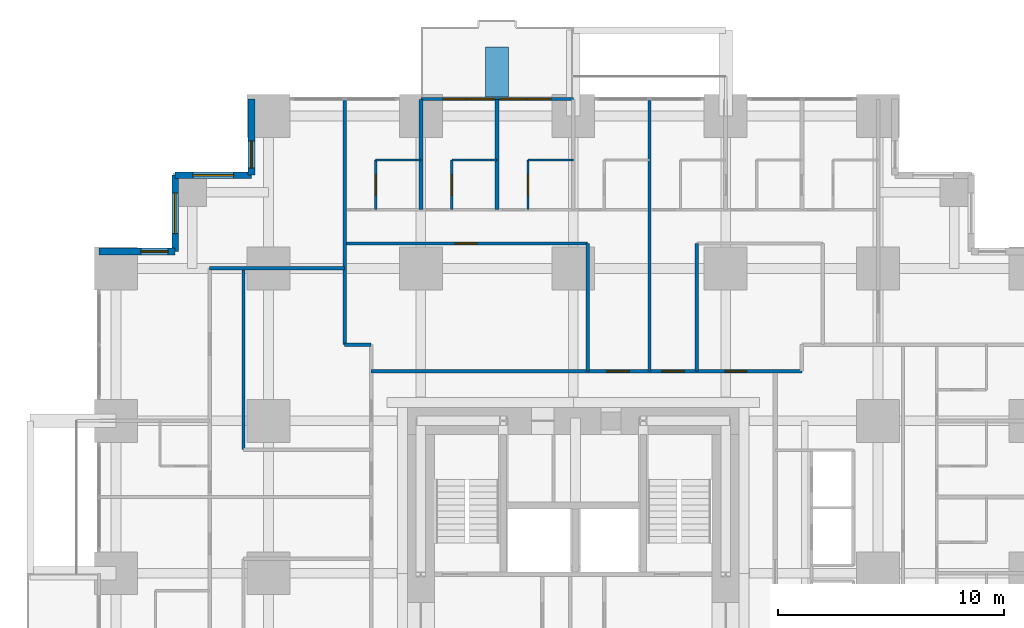
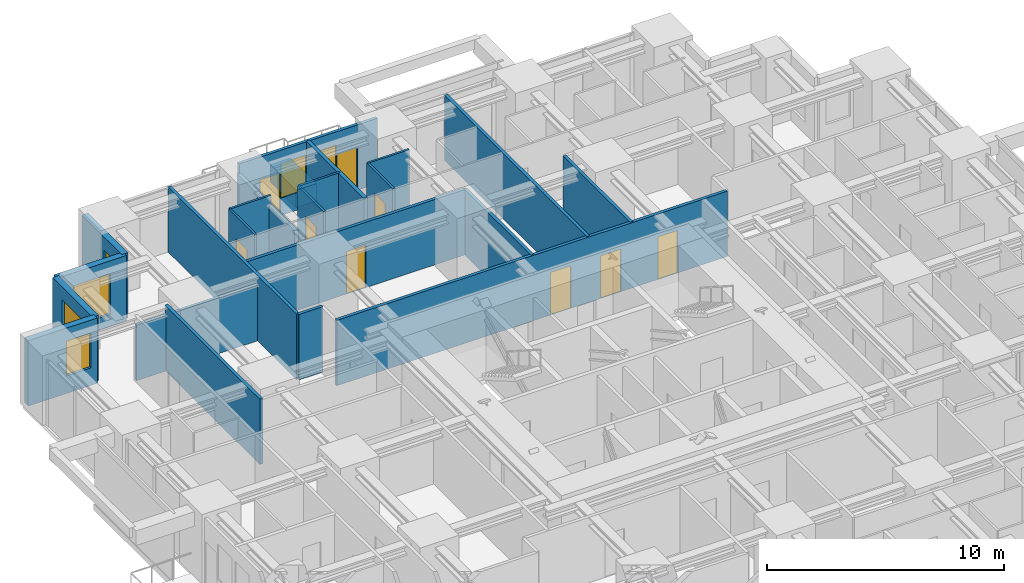
# One storey, part 12 of 15: 23 walls, 9 doors, 6 windows, 15 openings.
"""IFC4 building model written with IfcOpenShell, lengths in metres."""

from ifc_helpers import new_model, si_unit, direction, frame, frame_2d, origin, place, context, subcontext, project, spatial, rectangle, extrude, material, layer, layer_set, type_object, element, fill, save


model = new_model("IFC4")

# Units and contexts
model_context = context("Model", 3, precision=1e-05, world=origin(), true_north=direction((0.0, 1.0)))
body_context = subcontext(model_context, "Body", "Model", "MODEL_VIEW")
ifc_project = project(units=[si_unit("LENGTHUNIT", "METRE"), si_unit("AREAUNIT", "SQUARE_METRE"), si_unit("VOLUMEUNIT", "CUBIC_METRE"), si_unit("PLANEANGLEUNIT", "RADIAN"), si_unit("MASSUNIT", "GRAM", prefix="KILO")], contexts=[model_context])

# Site, building, storey
site_placement = place(None, origin())
site = spatial("IfcSite", under=ifc_project, at=site_placement, CompositionType="ELEMENT")
building_placement = place(site_placement, origin())
building = spatial("IfcBuilding", under=site, at=building_placement, Name="Nyansa Garden Tower", CompositionType="ELEMENT")
storey_placement = place(building_placement, frame((0.0, 0.0, 32.39990234375)))
storey = spatial("IfcBuildingStorey", under=building, at=storey_placement, Name="L08", CompositionType="ELEMENT", Elevation=32.39990234375)

# Walls
ifc_material_1 = material(Name="Dense blockwork, plastered both sides, 55 dB", Category="masonry")
ifc_layer_1 = layer(ifc_material_1, 0.175048828125)
ifc_layer_set_1 = layer_set([ifc_layer_1], Name="Acoustic party wall PW175")
wall_type_1 = type_object("IfcWallType", Name="Acoustic party wall PW175", PredefinedType="PARTITIONING", material=ifc_layer_set_1)
wall_1_placement = place(storey_placement, frame((13.5, 36.35009765625, 0.0), z_axis=(0.0, 0.0, 1.0), x_axis=(0.0, 1.0, 0.0)))
element("IfcWall", 1, at=wall_1_placement, inside=storey, type_object=wall_type_1, Name="Party wall", PredefinedType="PARTITIONING", context=body_context, shape_type="SweptSolid", body=[
    extrude(rectangle(XDim=4.8837890625, YDim=0.175048828125, at=frame_2d((2.44189453125, 0.0))), origin(), (0.0, 0.0, 1.0), 2.877197265625),
])
wall_2_placement = place(storey_placement, frame((16.875, 36.35009765625, 0.0), z_axis=(0.0, 0.0, 1.0), x_axis=(0.0, 1.0, 0.0)))
element("IfcWall", 2, at=wall_2_placement, inside=storey, type_object=wall_type_1, Name="Party wall", PredefinedType="PARTITIONING", context=body_context, shape_type="SweptSolid", body=[
    extrude(rectangle(XDim=4.8837890625, YDim=0.175048828125, at=frame_2d((2.44189453125, 0.0))), origin(), (0.0, 0.0, 1.0), 3.375),
])

# Wall, openings, doors, windows
ifc_material_2 = material(Name="Black aluminium framed glazed screen", Category="aluminium")
ifc_layer_2 = layer(ifc_material_2, 0.14990234375)
ifc_layer_set_2 = layer_set([ifc_layer_2], Name="Balcony screen wall BW150")
wall_type_2 = type_object("IfcWallType", Name="Balcony screen wall BW150", PredefinedType="SOLIDWALL", material=ifc_layer_set_2)
wall_3_placement = place(storey_placement, frame((13.5, 41.25, 0.0), z_axis=(0.0, 0.0, 1.0), x_axis=(1.0, 0.0, 0.0)))
wall_3 = element("IfcWall", 3, at=wall_3_placement, inside=storey, type_object=wall_type_2, Name="Glazed screen wall L08 N", PredefinedType="SOLIDWALL", context=body_context, shape_type="SweptSolid", body=[
    extrude(rectangle(XDim=6.75, YDim=0.14990234375, at=frame_2d((3.375, 0.0))), origin(), (0.0, 0.0, 1.0), 3.375),
])
opening_1_placement = place(wall_3_placement, frame((0.995849609375, 0.0, 0.0)))
opening_1 = element("IfcOpeningElement", 4, at=opening_1_placement, cuts=wall_3, Name="Opening D20", PredefinedType="OPENING", context=body_context, shape_type="SweptSolid", body=[
    extrude(rectangle(XDim=1.0, YDim=2.199951171875, at=frame_2d((0.5, 1.10009765625))), frame((0.0, 0.0849609375, 0.0), z_axis=(0.0, -1.0, 0.0), x_axis=(1.0, 0.0, 0.0)), (0.0, 0.0, 1.0), 0.169921875),
])
opening_2_placement = place(wall_3_placement, frame((2.041748046875, 0.0, 0.89990234375)))
opening_2 = element("IfcOpeningElement", 5, at=opening_2_placement, cuts=wall_3, Name="Opening W6", PredefinedType="OPENING", context=body_context, shape_type="SweptSolid", body=[
    extrude(rectangle(XDim=1.199951171875, YDim=1.800048828125, at=frame_2d((0.60009765625, 0.89990234375))), frame((0.0, 0.0849609375, 0.0), z_axis=(0.0, -1.0, 0.0), x_axis=(1.0, 0.0, 0.0)), (0.0, 0.0, 1.0), 0.169921875),
])
opening_3_placement = place(wall_3_placement, frame((4.754150390625, 0.0, 0.0)))
opening_3 = element("IfcOpeningElement", 6, at=opening_3_placement, cuts=wall_3, Name="Opening D20", PredefinedType="OPENING", context=body_context, shape_type="SweptSolid", body=[
    extrude(rectangle(XDim=1.0, YDim=2.199951171875, at=frame_2d((0.5, 1.10009765625))), frame((0.0, 0.0849609375, 0.0), z_axis=(0.0, -1.0, 0.0), x_axis=(1.0, 0.0, 0.0)), (0.0, 0.0, 1.0), 0.169921875),
])
opening_4_placement = place(wall_3_placement, frame((3.50830078125, 0.0, 0.89990234375)))
opening_4 = element("IfcOpeningElement", 7, at=opening_4_placement, cuts=wall_3, Name="Opening W6", PredefinedType="OPENING", context=body_context, shape_type="SweptSolid", body=[
    extrude(rectangle(XDim=1.199951171875, YDim=1.800048828125, at=frame_2d((0.60009765625, 0.89990234375))), frame((0.0, 0.0849609375, 0.0), z_axis=(0.0, -1.0, 0.0), x_axis=(1.0, 0.0, 0.0)), (0.0, 0.0, 1.0), 0.169921875),
])
ifc_material_3 = material(Name="Black aluminium framed glazed door", Category="aluminium")
door_type_1 = type_object("IfcDoorType", Name="Balcony door D20 1000x2200", OperationType="NOTDEFINED", PredefinedType="DOOR", material=ifc_material_3)
door_1_placement = place(opening_1_placement, origin())
door_1 = element("IfcDoor", 8, at=door_1_placement, inside=storey, type_object=door_type_1, Name="Balcony door L08", OperationType="SINGLE_SWING_LEFT", OverallHeight=2.199951171875, OverallWidth=1.0, PredefinedType="DOOR", context=body_context, shape_type="SweptSolid", body=[
    extrude(rectangle(XDim=1.0, YDim=2.199951171875, at=frame_2d((0.5, 1.10009765625))), frame((0.0, 0.02490234375, 0.0), z_axis=(0.0, -1.0, 0.0), x_axis=(1.0, 0.0, 0.0)), (0.0, 0.0, 1.0), 0.050048828125),
])
fill(opening_1, door_1)
door_2_placement = place(opening_3_placement, origin())
door_2 = element("IfcDoor", 9, at=door_2_placement, inside=storey, type_object=door_type_1, Name="Balcony door L08", OperationType="SINGLE_SWING_RIGHT", OverallHeight=2.199951171875, OverallWidth=1.0, PredefinedType="DOOR", context=body_context, shape_type="SweptSolid", body=[
    extrude(rectangle(XDim=1.0, YDim=2.199951171875, at=frame_2d((0.5, 1.10009765625))), frame((0.0, 0.02490234375, 0.0), z_axis=(0.0, -1.0, 0.0), x_axis=(1.0, 0.0, 0.0)), (0.0, 0.0, 1.0), 0.050048828125),
])
fill(opening_3, door_2)
ifc_material_4 = material(Name="Black aluminium frame, dark tinted double glazing", Category="aluminium")
window_type_1 = type_object("IfcWindowType", Name="Balcony window W6 1200x1800", PartitioningType="SINGLE_PANEL", PredefinedType="WINDOW", material=ifc_material_4)
window_1_placement = place(opening_2_placement, origin())
window_1 = element("IfcWindow", 10, at=window_1_placement, inside=storey, type_object=window_type_1, Name="Window L08", OverallHeight=1.800048828125, OverallWidth=1.199951171875, PartitioningType="SINGLE_PANEL", PredefinedType="WINDOW", context=body_context, shape_type="SweptSolid", body=[
    extrude(rectangle(XDim=1.199951171875, YDim=1.800048828125, at=frame_2d((0.60009765625, 0.89990234375))), frame((0.0, 0.030029296875, 0.0), z_axis=(0.0, -1.0, 0.0), x_axis=(1.0, 0.0, 0.0)), (0.0, 0.0, 1.0), 0.06005859375),
])
fill(opening_2, window_1)
window_2_placement = place(opening_4_placement, origin())
window_2 = element("IfcWindow", 11, at=window_2_placement, inside=storey, type_object=window_type_1, Name="Window L08", OverallHeight=1.800048828125, OverallWidth=1.199951171875, PartitioningType="SINGLE_PANEL", PredefinedType="WINDOW", context=body_context, shape_type="SweptSolid", body=[
    extrude(rectangle(XDim=1.199951171875, YDim=1.800048828125, at=frame_2d((0.60009765625, 0.89990234375))), frame((0.0, 0.030029296875, 0.0), z_axis=(0.0, -1.0, 0.0), x_axis=(1.0, 0.0, 0.0)), (0.0, 0.0, 1.0), 0.06005859375),
])
fill(opening_4, window_2)

# Walls
ifc_material_5 = material(Name="Blockwork, plastered both sides", Category="masonry")
ifc_layer_3 = layer(ifc_material_5, 0.14990234375)
ifc_layer_set_3 = layer_set([ifc_layer_3], Name="Partition PW150")
wall_type_3 = type_object("IfcWallType", Name="Partition PW150", PredefinedType="PARTITIONING", material=ifc_layer_set_3)
wall_4_placement = place(storey_placement, frame((4.14990234375, 33.75, 0.0), z_axis=(0.0, 0.0, 1.0), x_axis=(1.0, 0.0, 0.0)))
element("IfcWall", 12, at=wall_4_placement, inside=storey, type_object=wall_type_3, Name="Partition", PredefinedType="PARTITIONING", context=body_context, shape_type="SweptSolid", body=[
    extrude(rectangle(XDim=5.97509765625, YDim=0.14990234375, at=frame_2d((2.987548828125, 0.0))), origin(), (0.0, 0.0, 1.0), 2.877197265625),
])
wall_5_placement = place(storey_placement, frame((5.64990234375, 25.72509765625, 0.0), z_axis=(0.0, 0.0, 1.0), x_axis=(0.0, 1.0, 0.0)))
element("IfcWall", 13, at=wall_5_placement, inside=storey, type_object=wall_type_3, Name="Partition", PredefinedType="PARTITIONING", context=body_context, shape_type="SweptSolid", body=[
    extrude(rectangle(XDim=8.02490234375, YDim=0.14990234375, at=frame_2d((4.012451171875, 0.0))), origin(), (0.0, 0.0, 1.0), 3.375),
])
wall_6_placement = place(storey_placement, frame((10.125, 30.375, 0.0), z_axis=(0.0, 0.0, 1.0), x_axis=(0.0, 1.0, 0.0)))
element("IfcWall", 14, at=wall_6_placement, inside=storey, type_object=wall_type_3, Name="Partition", PredefinedType="PARTITIONING", context=body_context, shape_type="SweptSolid", body=[
    extrude(rectangle(XDim=10.85888671875, YDim=0.14990234375, at=frame_2d((5.429443359375, 0.0))), origin(), (0.0, 0.0, 1.0), 3.375),
])
wall_7_placement = place(storey_placement, frame((10.125, 30.375, 0.0), z_axis=(0.0, 0.0, 1.0), x_axis=(1.0, 0.0, 0.0)))
element("IfcWall", 15, at=wall_7_placement, inside=storey, type_object=wall_type_3, Name="Partition", PredefinedType="PARTITIONING", context=body_context, shape_type="SweptSolid", body=[
    extrude(rectangle(XDim=1.175048828125, YDim=0.14990234375, at=frame_2d((0.58740234375, 0.0))), origin(), (0.0, 0.0, 1.0), 3.375),
])

# Wall, opening, door
wall_8_placement = place(storey_placement, frame((10.125, 34.85009765625, 0.0), z_axis=(0.0, 0.0, 1.0), x_axis=(1.0, 0.0, 0.0)))
wall_8 = element("IfcWall", 16, at=wall_8_placement, inside=storey, type_object=wall_type_3, Name="Partition", PredefinedType="PARTITIONING", context=body_context, shape_type="SweptSolid", body=[
    extrude(rectangle(XDim=10.762451171875, YDim=0.14990234375, at=frame_2d((5.38134765625, 0.0))), origin(), (0.0, 0.0, 1.0), 3.375),
])
opening_5_placement = place(wall_8_placement, frame((4.89990234375, 0.0, 0.0)))
opening_5 = element("IfcOpeningElement", 17, at=opening_5_placement, cuts=wall_8, Name="Opening D01", PredefinedType="OPENING", context=body_context, shape_type="SweptSolid", body=[
    extrude(rectangle(XDim=0.949951171875, YDim=2.199951171875, at=frame_2d((0.47509765625, 1.10009765625))), frame((0.0, 0.0849609375, 0.0), z_axis=(0.0, -1.0, 0.0), x_axis=(1.0, 0.0, 0.0)), (0.0, 0.0, 1.0), 0.169921875),
])
ifc_material_6 = material(Name="Timber flush door, 30 minute fire resisting", Category="wood")
door_type_2 = type_object("IfcDoorType", Name="Bedroom door D01 950x2200", OperationType="SINGLE_SWING_LEFT", PredefinedType="DOOR", material=ifc_material_6)
door_3_placement = place(opening_5_placement, origin())
door_3 = element("IfcDoor", 18, at=door_3_placement, inside=storey, type_object=door_type_2, Name="Door L08-067", OperationType="SINGLE_SWING_LEFT", OverallHeight=2.199951171875, OverallWidth=0.949951171875, PredefinedType="DOOR", context=body_context, shape_type="SweptSolid", body=[
    extrude(rectangle(XDim=0.949951171875, YDim=2.199951171875, at=frame_2d((0.47509765625, 1.10009765625))), frame((0.0, 0.02490234375, 0.0), z_axis=(0.0, -1.0, 0.0), x_axis=(1.0, 0.0, 0.0)), (0.0, 0.0, 1.0), 0.050048828125),
])
fill(opening_5, door_3)

# Wall, openings, doors
wall_9_placement = place(storey_placement, frame((11.300048828125, 29.199951171875, 0.0), z_axis=(0.0, 0.0, 1.0), x_axis=(1.0, 0.0, 0.0)))
wall_9 = element("IfcWall", 19, at=wall_9_placement, inside=storey, type_object=wall_type_3, Name="Partition", PredefinedType="PARTITIONING", context=body_context, shape_type="SweptSolid", body=[
    extrude(rectangle(XDim=19.074951171875, YDim=0.14990234375, at=frame_2d((9.53759765625, 0.0))), origin(), (0.0, 0.0, 1.0), 3.375),
])
opening_6_placement = place(wall_9_placement, frame((12.875, 0.0, 0.0)))
opening_6 = element("IfcOpeningElement", 20, at=opening_6_placement, cuts=wall_9, Name="Opening D03", PredefinedType="OPENING", context=body_context, shape_type="SweptSolid", body=[
    extrude(rectangle(XDim=1.0, YDim=2.199951171875, at=frame_2d((0.5, 1.10009765625))), frame((0.0, 0.0849609375, 0.0), z_axis=(0.0, -1.0, 0.0), x_axis=(1.0, 0.0, 0.0)), (0.0, 0.0, 1.0), 0.169921875),
])
opening_7_placement = place(wall_9_placement, frame((10.4375, 0.0, 0.0)))
opening_7 = element("IfcOpeningElement", 21, at=opening_7_placement, cuts=wall_9, Name="Opening D03", PredefinedType="OPENING", context=body_context, shape_type="SweptSolid", body=[
    extrude(rectangle(XDim=1.0, YDim=2.199951171875, at=frame_2d((0.5, 1.10009765625))), frame((0.0, 0.0849609375, 0.0), z_axis=(0.0, -1.0, 0.0), x_axis=(1.0, 0.0, 0.0)), (0.0, 0.0, 1.0), 0.169921875),
])
opening_8_placement = place(wall_9_placement, frame((15.675048828125, 0.0, 0.0)))
opening_8 = element("IfcOpeningElement", 22, at=opening_8_placement, cuts=wall_9, Name="Opening D01", PredefinedType="OPENING", context=body_context, shape_type="SweptSolid", body=[
    extrude(rectangle(XDim=0.949951171875, YDim=2.199951171875, at=frame_2d((0.47509765625, 1.10009765625))), frame((0.0, 0.0849609375, 0.0), z_axis=(0.0, -1.0, 0.0), x_axis=(1.0, 0.0, 0.0)), (0.0, 0.0, 1.0), 0.169921875),
])
door_4_placement = place(opening_8_placement, origin())
door_4 = element("IfcDoor", 23, at=door_4_placement, inside=storey, type_object=door_type_2, Name="Door L08-066", OperationType="SINGLE_SWING_LEFT", OverallHeight=2.199951171875, OverallWidth=0.949951171875, PredefinedType="DOOR", context=body_context, shape_type="SweptSolid", body=[
    extrude(rectangle(XDim=0.949951171875, YDim=2.199951171875, at=frame_2d((0.47509765625, 1.10009765625))), frame((0.0, 0.02490234375, 0.0), z_axis=(0.0, -1.0, 0.0), x_axis=(1.0, 0.0, 0.0)), (0.0, 0.0, 1.0), 0.050048828125),
])
fill(opening_8, door_4)
ifc_material_7 = material(Name="Timber flush door, 60 minute fire resisting", Category="wood")
door_type_3 = type_object("IfcDoorType", Name="Cluster entrance door D03 1000x2200", OperationType="SINGLE_SWING_LEFT", PredefinedType="DOOR", material=ifc_material_7)
door_5_placement = place(opening_6_placement, origin())
door_5 = element("IfcDoor", 24, at=door_5_placement, inside=storey, type_object=door_type_3, Name="Door L08-056", OperationType="SINGLE_SWING_LEFT", OverallHeight=2.199951171875, OverallWidth=1.0, PredefinedType="DOOR", context=body_context, shape_type="SweptSolid", body=[
    extrude(rectangle(XDim=1.0, YDim=2.199951171875, at=frame_2d((0.5, 1.10009765625))), frame((0.0, 0.02490234375, 0.0), z_axis=(0.0, -1.0, 0.0), x_axis=(1.0, 0.0, 0.0)), (0.0, 0.0, 1.0), 0.050048828125),
])
fill(opening_6, door_5)
door_6_placement = place(opening_7_placement, origin())
door_6 = element("IfcDoor", 25, at=door_6_placement, inside=storey, type_object=door_type_3, Name="Door L08-065", OperationType="SINGLE_SWING_LEFT", OverallHeight=2.199951171875, OverallWidth=1.0, PredefinedType="DOOR", context=body_context, shape_type="SweptSolid", body=[
    extrude(rectangle(XDim=1.0, YDim=2.199951171875, at=frame_2d((0.5, 1.10009765625))), frame((0.0, 0.02490234375, 0.0), z_axis=(0.0, -1.0, 0.0), x_axis=(1.0, 0.0, 0.0)), (0.0, 0.0, 1.0), 0.050048828125),
])
fill(opening_7, door_6)

# Walls
wall_10_placement = place(storey_placement, frame((20.886962890625, 29.199951171875, 0.0), z_axis=(0.0, 0.0, 1.0), x_axis=(0.0, 1.0, 0.0)))
element("IfcWall", 26, at=wall_10_placement, inside=storey, type_object=wall_type_3, Name="Partition", PredefinedType="PARTITIONING", context=body_context, shape_type="SweptSolid", body=[
    extrude(rectangle(XDim=5.650146484375, YDim=0.14990234375, at=frame_2d((2.8251953125, 0.0))), origin(), (0.0, 0.0, 1.0), 3.375),
])
wall_11_placement = place(storey_placement, frame((23.625, 29.199951171875, 0.0), z_axis=(0.0, 0.0, 1.0), x_axis=(0.0, 1.0, 0.0)))
element("IfcWall", 27, at=wall_11_placement, inside=storey, type_object=wall_type_3, Name="Partition", PredefinedType="PARTITIONING", context=body_context, shape_type="SweptSolid", body=[
    extrude(rectangle(XDim=12.033935546875, YDim=0.14990234375, at=frame_2d((6.01708984375, 0.0))), origin(), (0.0, 0.0, 1.0), 3.375),
])
wall_12_placement = place(storey_placement, frame((25.72509765625, 29.199951171875, 0.0), z_axis=(0.0, 0.0, 1.0), x_axis=(0.0, 1.0, 0.0)))
element("IfcWall", 28, at=wall_12_placement, inside=storey, type_object=wall_type_3, Name="Partition", PredefinedType="PARTITIONING", context=body_context, shape_type="SweptSolid", body=[
    extrude(rectangle(XDim=5.650146484375, YDim=0.14990234375, at=frame_2d((2.8251953125, 0.0))), origin(), (0.0, 0.0, 1.0), 3.375),
])

# Wall, opening, window
ifc_material_8 = material(Name="Turquoise glazed tile on concrete blockwork", Category="masonry")
ifc_layer_4 = layer(ifc_material_8, 0.300048828125)
ifc_layer_set_4 = layer_set([ifc_layer_4], Name="Tiled corner wall TW300")
wall_type_4 = type_object("IfcWallType", Name="Tiled corner wall TW300", PredefinedType="SOLIDWALL", material=ifc_layer_set_4)
wall_13_placement = place(storey_placement, frame((6.0, 41.25, 0.0), z_axis=(0.0, 0.0, 1.0), x_axis=(0.0, -1.0, 0.0)))
wall_13 = element("IfcWall", 29, at=wall_13_placement, inside=storey, type_object=wall_type_4, Name="Tiled corner wall L08", PredefinedType="SOLIDWALL", context=body_context, shape_type="SweptSolid", body=[
    extrude(rectangle(XDim=3.375, YDim=0.300048828125, at=frame_2d((1.6875, 0.0))), origin(), (0.0, 0.0, 1.0), 3.375),
])
opening_9_placement = place(wall_13_placement, frame((1.857421875, 0.0, 0.89990234375)))
opening_9 = element("IfcOpeningElement", 30, at=opening_9_placement, cuts=wall_13, Name="Opening W4", PredefinedType="OPENING", context=body_context, shape_type="SweptSolid", body=[
    extrude(rectangle(XDim=1.199951171875, YDim=1.800048828125, at=frame_2d((0.60009765625, 0.89990234375))), frame((0.0, 0.159912109375, 0.0), z_axis=(0.0, -1.0, 0.0), x_axis=(1.0, 0.0, 0.0)), (0.0, 0.0, 1.0), 0.320068359375),
])
ifc_material_9 = material(Name="Black aluminium frame, dark tinted double glazing", Category="aluminium")
window_type_2 = type_object("IfcWindowType", Name="Window W4 1200x1800", PartitioningType="SINGLE_PANEL", PredefinedType="WINDOW", material=ifc_material_9)
window_3_placement = place(opening_9_placement, origin())
window_3 = element("IfcWindow", 31, at=window_3_placement, inside=storey, type_object=window_type_2, Name="Corner window L08", OverallHeight=1.800048828125, OverallWidth=1.199951171875, PartitioningType="SINGLE_PANEL", PredefinedType="WINDOW", context=body_context, shape_type="SweptSolid", body=[
    extrude(rectangle(XDim=1.199951171875, YDim=1.800048828125, at=frame_2d((0.60009765625, 0.89990234375))), frame((0.0, 0.030029296875, 0.0), z_axis=(0.0, -1.0, 0.0), x_axis=(1.0, 0.0, 0.0)), (0.0, 0.0, 1.0), 0.06005859375),
])
fill(opening_9, window_3)

wall_14_placement = place(storey_placement, frame((6.0, 37.875, 0.0), z_axis=(0.0, 0.0, 1.0), x_axis=(-1.0, 0.0, 0.0)))
wall_14 = element("IfcWall", 32, at=wall_14_placement, inside=storey, type_object=wall_type_4, Name="Tiled corner wall L08", PredefinedType="SOLIDWALL", context=body_context, shape_type="SweptSolid", body=[
    extrude(rectangle(XDim=3.375, YDim=0.300048828125, at=frame_2d((1.6875, 0.0))), origin(), (0.0, 0.0, 1.0), 3.375),
])
opening_10_placement = place(wall_14_placement, frame((0.78759765625, 0.0, 0.60009765625)))
opening_10 = element("IfcOpeningElement", 33, at=opening_10_placement, cuts=wall_14, Name="Opening W2", PredefinedType="OPENING", context=body_context, shape_type="SweptSolid", body=[
    extrude(rectangle(XDim=1.800048828125, YDim=2.10009765625, at=frame_2d((0.89990234375, 1.050048828125))), frame((0.0, 0.159912109375, 0.0), z_axis=(0.0, -1.0, 0.0), x_axis=(1.0, 0.0, 0.0)), (0.0, 0.0, 1.0), 0.320068359375),
])
ifc_material_10 = material(Name="Black aluminium frame, dark tinted double glazing", Category="aluminium")
window_type_3 = type_object("IfcWindowType", Name="Window W2 1800x2100", PartitioningType="SINGLE_PANEL", PredefinedType="WINDOW", material=ifc_material_10)
window_4_placement = place(opening_10_placement, origin())
window_4 = element("IfcWindow", 34, at=window_4_placement, inside=storey, type_object=window_type_3, Name="Corner window L08", OverallHeight=2.10009765625, OverallWidth=1.800048828125, PartitioningType="SINGLE_PANEL", PredefinedType="WINDOW", context=body_context, shape_type="SweptSolid", body=[
    extrude(rectangle(XDim=1.800048828125, YDim=2.10009765625, at=frame_2d((0.89990234375, 1.050048828125))), frame((0.0, 0.030029296875, 0.0), z_axis=(0.0, -1.0, 0.0), x_axis=(1.0, 0.0, 0.0)), (0.0, 0.0, 1.0), 0.06005859375),
])
fill(opening_10, window_4)

wall_15_placement = place(storey_placement, frame((2.625, 37.875, 0.0), z_axis=(0.0, 0.0, 1.0), x_axis=(0.0, -1.0, 0.0)))
wall_15 = element("IfcWall", 35, at=wall_15_placement, inside=storey, type_object=wall_type_4, Name="Tiled corner wall L08", PredefinedType="SOLIDWALL", context=body_context, shape_type="SweptSolid", body=[
    extrude(rectangle(XDim=3.375, YDim=0.300048828125, at=frame_2d((1.6875, 0.0))), origin(), (0.0, 0.0, 1.0), 3.375),
])
opening_11_placement = place(wall_15_placement, frame((0.78759765625, 0.0, 0.60009765625)))
opening_11 = element("IfcOpeningElement", 36, at=opening_11_placement, cuts=wall_15, Name="Opening W2", PredefinedType="OPENING", context=body_context, shape_type="SweptSolid", body=[
    extrude(rectangle(XDim=1.800048828125, YDim=2.10009765625, at=frame_2d((0.89990234375, 1.050048828125))), frame((0.0, 0.159912109375, 0.0), z_axis=(0.0, -1.0, 0.0), x_axis=(1.0, 0.0, 0.0)), (0.0, 0.0, 1.0), 0.320068359375),
])
window_5_placement = place(opening_11_placement, origin())
window_5 = element("IfcWindow", 37, at=window_5_placement, inside=storey, type_object=window_type_3, Name="Corner window L08", OverallHeight=2.10009765625, OverallWidth=1.800048828125, PartitioningType="SINGLE_PANEL", PredefinedType="WINDOW", context=body_context, shape_type="SweptSolid", body=[
    extrude(rectangle(XDim=1.800048828125, YDim=2.10009765625, at=frame_2d((0.89990234375, 1.050048828125))), frame((0.0, 0.030029296875, 0.0), z_axis=(0.0, -1.0, 0.0), x_axis=(1.0, 0.0, 0.0)), (0.0, 0.0, 1.0), 0.06005859375),
])
fill(opening_11, window_5)

wall_16_placement = place(storey_placement, frame((2.625, 34.5, 0.0), z_axis=(0.0, 0.0, 1.0), x_axis=(-1.0, 0.0, 0.0)))
wall_16 = element("IfcWall", 38, at=wall_16_placement, inside=storey, type_object=wall_type_4, Name="Tiled corner wall L08", PredefinedType="SOLIDWALL", context=body_context, shape_type="SweptSolid", body=[
    extrude(rectangle(XDim=3.375, YDim=0.300048828125, at=frame_2d((1.6875, 0.0))), origin(), (0.0, 0.0, 1.0), 3.375),
])
opening_12_placement = place(wall_16_placement, frame((0.3173828125, 0.0, 0.89990234375)))
opening_12 = element("IfcOpeningElement", 39, at=opening_12_placement, cuts=wall_16, Name="Opening W4", PredefinedType="OPENING", context=body_context, shape_type="SweptSolid", body=[
    extrude(rectangle(XDim=1.199951171875, YDim=1.800048828125, at=frame_2d((0.60009765625, 0.89990234375))), frame((0.0, 0.159912109375, 0.0), z_axis=(0.0, -1.0, 0.0), x_axis=(1.0, 0.0, 0.0)), (0.0, 0.0, 1.0), 0.320068359375),
])
window_6_placement = place(opening_12_placement, origin())
window_6 = element("IfcWindow", 40, at=window_6_placement, inside=storey, type_object=window_type_2, Name="Corner window L08", OverallHeight=1.800048828125, OverallWidth=1.199951171875, PartitioningType="SINGLE_PANEL", PredefinedType="WINDOW", context=body_context, shape_type="SweptSolid", body=[
    extrude(rectangle(XDim=1.199951171875, YDim=1.800048828125, at=frame_2d((0.60009765625, 0.89990234375))), frame((0.0, 0.030029296875, 0.0), z_axis=(0.0, -1.0, 0.0), x_axis=(1.0, 0.0, 0.0)), (0.0, 0.0, 1.0), 0.06005859375),
])
fill(opening_12, window_6)

# Wall
ifc_material_11 = material(Name="Concrete C40/50 planter, waterproofed", Category="concrete")
ifc_layer_5 = layer(ifc_material_11, 1.0)
ifc_layer_set_5 = layer_set([ifc_layer_5], Name="Tree planter TP1")
wall_type_5 = type_object("IfcWallType", Name="Tree planter TP1", PredefinedType="USERDEFINED", material=ifc_layer_set_5)
wall_17_placement = place(storey_placement, frame((16.875, 41.35009765625, 0.0), z_axis=(0.0, 0.0, 1.0), x_axis=(0.0, 1.0, 0.0)))
element("IfcWall", 41, at=wall_17_placement, inside=storey, type_object=wall_type_5, Name="Tree planter L08", ObjectType="TREE PLANTER", PredefinedType="USERDEFINED", context=body_context, shape_type="SweptSolid", body=[
    extrude(rectangle(XDim=2.199951171875, YDim=1.0, at=frame_2d((1.10009765625, 0.0))), origin(), (0.0, 0.0, 1.0), 0.900146484375),
])

# Wall, opening, door
ifc_material_12 = material(Name="Moisture resistant board on steel studs, tiled", Category="steel")
ifc_layer_6 = layer(ifc_material_12, 0.10009765625)
ifc_layer_set_6 = layer_set([ifc_layer_6], Name="Wet wall PW100")
wall_type_6 = type_object("IfcWallType", Name="Wet wall PW100", PredefinedType="PARTITIONING", material=ifc_layer_set_6)
wall_18_placement = place(storey_placement, frame((11.5, 36.35009765625, 0.0), z_axis=(0.0, 0.0, 1.0), x_axis=(0.0, 1.0, 0.0)))
wall_18 = element("IfcWall", 42, at=wall_18_placement, inside=storey, type_object=wall_type_6, Name="Wet wall", PredefinedType="PARTITIONING", context=body_context, shape_type="SweptSolid", body=[
    extrude(rectangle(XDim=2.199951171875, YDim=0.10009765625, at=frame_2d((1.10009765625, 0.0))), origin(), (0.0, 0.0, 1.0), 3.375),
])
opening_13_placement = place(wall_18_placement, frame((0.64990234375, 0.0, 0.0)))
opening_13 = element("IfcOpeningElement", 43, at=opening_13_placement, cuts=wall_18, Name="Opening D02", PredefinedType="OPENING", context=body_context, shape_type="SweptSolid", body=[
    extrude(rectangle(XDim=0.89990234375, YDim=2.199951171875, at=frame_2d((0.449951171875, 1.10009765625))), frame((0.0, 0.06005859375, 0.0), z_axis=(0.0, -1.0, 0.0), x_axis=(1.0, 0.0, 0.0)), (0.0, 0.0, 1.0), 0.1201171875),
])
ifc_material_13 = material(Name="Timber flush door", Category="wood")
door_type_4 = type_object("IfcDoorType", Name="En-suite door D02 900x2200", OperationType="SINGLE_SWING_RIGHT", PredefinedType="DOOR", material=ifc_material_13)
door_7_placement = place(opening_13_placement, origin())
door_7 = element("IfcDoor", 44, at=door_7_placement, inside=storey, type_object=door_type_4, Name="Door L08-058", OperationType="SINGLE_SWING_RIGHT", OverallHeight=2.199951171875, OverallWidth=0.89990234375, PredefinedType="DOOR", context=body_context, shape_type="SweptSolid", body=[
    extrude(rectangle(XDim=0.89990234375, YDim=2.199951171875, at=frame_2d((0.449951171875, 1.10009765625))), frame((0.0, 0.02490234375, 0.0), z_axis=(0.0, -1.0, 0.0), x_axis=(1.0, 0.0, 0.0)), (0.0, 0.0, 1.0), 0.050048828125),
])
fill(opening_13, door_7)

# Wall
wall_19_placement = place(storey_placement, frame((11.5, 38.550048828125, 0.0), z_axis=(0.0, 0.0, 1.0), x_axis=(1.0, 0.0, 0.0)))
element("IfcWall", 45, at=wall_19_placement, inside=storey, type_object=wall_type_6, Name="Wet wall", PredefinedType="PARTITIONING", context=body_context, shape_type="SweptSolid", body=[
    extrude(rectangle(XDim=2.0, YDim=0.10009765625, at=frame_2d((1.0, 0.0))), origin(), (0.0, 0.0, 1.0), 3.375),
])

# Wall, opening, door
wall_20_placement = place(storey_placement, frame((14.875, 36.35009765625, 0.0), z_axis=(0.0, 0.0, 1.0), x_axis=(0.0, 1.0, 0.0)))
wall_20 = element("IfcWall", 46, at=wall_20_placement, inside=storey, type_object=wall_type_6, Name="Wet wall", PredefinedType="PARTITIONING", context=body_context, shape_type="SweptSolid", body=[
    extrude(rectangle(XDim=2.199951171875, YDim=0.10009765625, at=frame_2d((1.10009765625, 0.0))), origin(), (0.0, 0.0, 1.0), 3.375),
])
opening_14_placement = place(wall_20_placement, frame((0.64990234375, 0.0, 0.0)))
opening_14 = element("IfcOpeningElement", 47, at=opening_14_placement, cuts=wall_20, Name="Opening D02", PredefinedType="OPENING", context=body_context, shape_type="SweptSolid", body=[
    extrude(rectangle(XDim=0.89990234375, YDim=2.199951171875, at=frame_2d((0.449951171875, 1.10009765625))), frame((0.0, 0.06005859375, 0.0), z_axis=(0.0, -1.0, 0.0), x_axis=(1.0, 0.0, 0.0)), (0.0, 0.0, 1.0), 0.1201171875),
])
door_8_placement = place(opening_14_placement, origin())
door_8 = element("IfcDoor", 48, at=door_8_placement, inside=storey, type_object=door_type_4, Name="Door L08-060", OperationType="SINGLE_SWING_RIGHT", OverallHeight=2.199951171875, OverallWidth=0.89990234375, PredefinedType="DOOR", context=body_context, shape_type="SweptSolid", body=[
    extrude(rectangle(XDim=0.89990234375, YDim=2.199951171875, at=frame_2d((0.449951171875, 1.10009765625))), frame((0.0, 0.02490234375, 0.0), z_axis=(0.0, -1.0, 0.0), x_axis=(1.0, 0.0, 0.0)), (0.0, 0.0, 1.0), 0.050048828125),
])
fill(opening_14, door_8)

# Wall
wall_21_placement = place(storey_placement, frame((14.875, 38.550048828125, 0.0), z_axis=(0.0, 0.0, 1.0), x_axis=(1.0, 0.0, 0.0)))
element("IfcWall", 49, at=wall_21_placement, inside=storey, type_object=wall_type_6, Name="Wet wall", PredefinedType="PARTITIONING", context=body_context, shape_type="SweptSolid", body=[
    extrude(rectangle(XDim=2.0, YDim=0.10009765625, at=frame_2d((1.0, 0.0))), origin(), (0.0, 0.0, 1.0), 3.375),
])

# Wall, opening, door
wall_22_placement = place(storey_placement, frame((18.25, 36.35009765625, 0.0), z_axis=(0.0, 0.0, 1.0), x_axis=(0.0, 1.0, 0.0)))
wall_22 = element("IfcWall", 50, at=wall_22_placement, inside=storey, type_object=wall_type_6, Name="Wet wall", PredefinedType="PARTITIONING", context=body_context, shape_type="SweptSolid", body=[
    extrude(rectangle(XDim=2.199951171875, YDim=0.10009765625, at=frame_2d((1.10009765625, 0.0))), origin(), (0.0, 0.0, 1.0), 3.375),
])
opening_15_placement = place(wall_22_placement, frame((0.64990234375, 0.0, 0.0)))
opening_15 = element("IfcOpeningElement", 51, at=opening_15_placement, cuts=wall_22, Name="Opening D02", PredefinedType="OPENING", context=body_context, shape_type="SweptSolid", body=[
    extrude(rectangle(XDim=0.89990234375, YDim=2.199951171875, at=frame_2d((0.449951171875, 1.10009765625))), frame((0.0, 0.06005859375, 0.0), z_axis=(0.0, -1.0, 0.0), x_axis=(1.0, 0.0, 0.0)), (0.0, 0.0, 1.0), 0.1201171875),
])
door_9_placement = place(opening_15_placement, origin())
door_9 = element("IfcDoor", 52, at=door_9_placement, inside=storey, type_object=door_type_4, Name="Door L08-062", OperationType="SINGLE_SWING_RIGHT", OverallHeight=2.199951171875, OverallWidth=0.89990234375, PredefinedType="DOOR", context=body_context, shape_type="SweptSolid", body=[
    extrude(rectangle(XDim=0.89990234375, YDim=2.199951171875, at=frame_2d((0.449951171875, 1.10009765625))), frame((0.0, 0.02490234375, 0.0), z_axis=(0.0, -1.0, 0.0), x_axis=(1.0, 0.0, 0.0)), (0.0, 0.0, 1.0), 0.050048828125),
])
fill(opening_15, door_9)

# Wall
wall_23_placement = place(storey_placement, frame((18.25, 38.550048828125, 0.0), z_axis=(0.0, 0.0, 1.0), x_axis=(1.0, 0.0, 0.0)))
element("IfcWall", 53, at=wall_23_placement, inside=storey, type_object=wall_type_6, Name="Wet wall", PredefinedType="PARTITIONING", context=body_context, shape_type="SweptSolid", body=[
    extrude(rectangle(XDim=2.0, YDim=0.10009765625, at=frame_2d((1.0, 0.0))), origin(), (0.0, 0.0, 1.0), 3.375),
])

save(model, "model.ifc")
